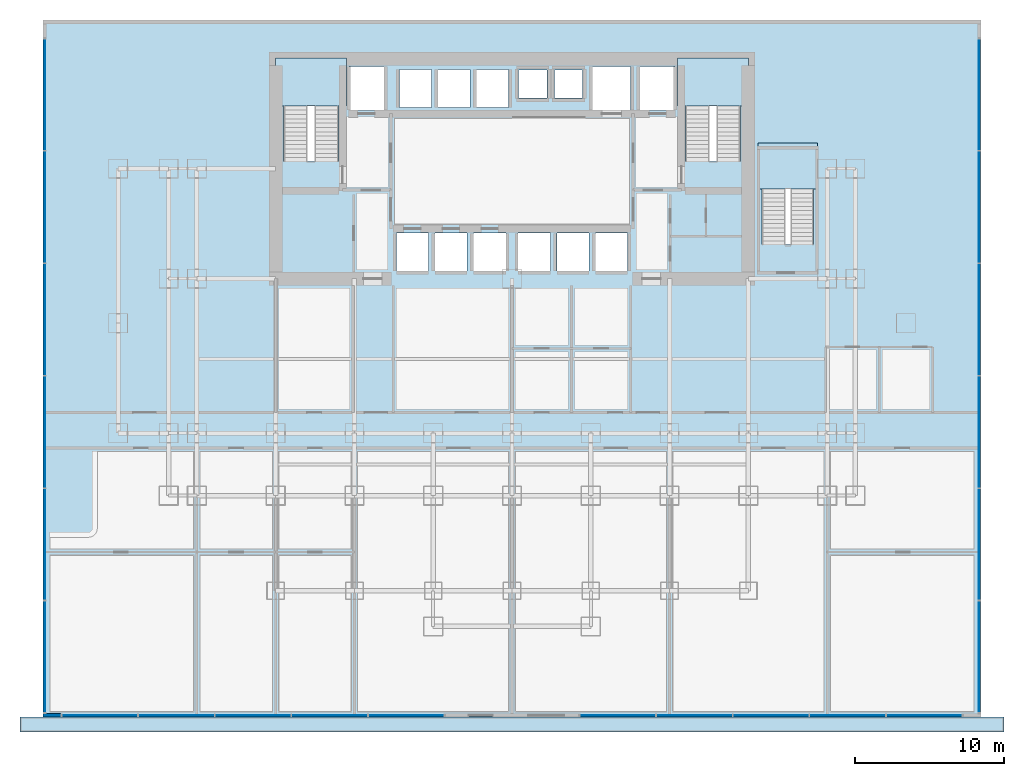
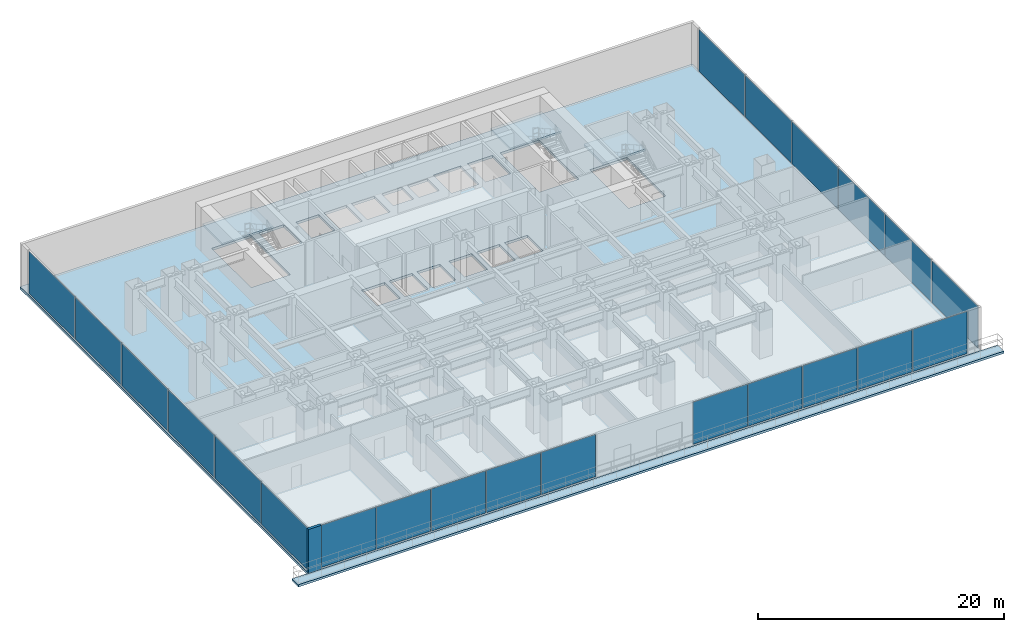
# One storey, part 7 of 13: 22 plates, 5 slabs, 1 wall, 7 elements without a shape of their own.
"""IFC4 building model written with IfcOpenShell, lengths in metres."""

from ifc_helpers import new_model, si_unit, direction, frame, frame_2d, origin, origin_2d, place, context, subcontext, project, spatial, polyline, rectangle, outline, extrude, source, transform, mapped, material, layer, layer_set, type_object, element, aggregate, save


model = new_model("IFC4")

# Units and contexts
model_context = context("Model", 3, precision=1e-05, world=origin(), true_north=direction((0.0, 1.0)))
body_context = subcontext(model_context, "Body", "Model", "MODEL_VIEW")
ifc_project = project(units=[si_unit("LENGTHUNIT", "METRE"), si_unit("AREAUNIT", "SQUARE_METRE"), si_unit("VOLUMEUNIT", "CUBIC_METRE"), si_unit("PLANEANGLEUNIT", "RADIAN"), si_unit("MASSUNIT", "GRAM", prefix="KILO")], contexts=[model_context])

# Site, building, storey
site_placement = place(None, origin())
site = spatial("IfcSite", under=ifc_project, at=site_placement, CompositionType="ELEMENT")
building_placement = place(site_placement, origin())
building = spatial("IfcBuilding", under=site, at=building_placement, Name="Qianlan Lanfeng Residences", CompositionType="ELEMENT")
storey_placement = place(building_placement, frame((0.0, 0.0, 14.39990234375)))
storey = spatial("IfcBuildingStorey", under=building, at=storey_placement, Name="L03", CompositionType="ELEMENT", Elevation=14.39990234375)

# Slab
ifc_material_1 = material(Name="Concrete C49", Category="concrete")
ifc_layer_1 = layer(ifc_material_1, 0.25)
ifc_layer_set_1 = layer_set([ifc_layer_1], Name="Concrete C49")
slab_type_1 = type_object("IfcSlabType", Name="S-FL-250", PredefinedType="FLOOR", material=ifc_layer_set_1)
slab_1_placement = place(storey_placement, frame((0.0, 0.0, -0.25)))
element("IfcSlab", 1, at=slab_1_placement, inside=storey, type_object=slab_type_1, Name="L03 Structural Floor Slab", PredefinedType="FLOOR", context=body_context, shape_type="SweptSolid", body=[
    extrude(outline(polyline([(-5.050048828125, -4.300048828125), (58.050048828125, -4.300048828125), (58.050048828125, 42.60009765625), (-5.050048828125, 42.60009765625), (-5.050048828125, -4.300048828125)]), holes=[polyline([(11.139892578125, 33.080078125), (11.139892578125, 39.5), (14.820068359375, 39.5), (14.820068359375, 33.080078125), (11.139892578125, 33.080078125)]), polyline([(38.179931640625, 33.080078125), (38.179931640625, 39.5), (41.860107421875, 39.5), (41.860107421875, 33.080078125), (38.179931640625, 33.080078125)]), polyline([(43.320068359375, 27.47998046875), (43.320068359375, 33.780029296875), (46.800048828125, 33.780029296875), (46.800048828125, 27.47998046875), (43.320068359375, 27.47998046875)]), polyline([(15.52001953125, 36.52001953125), (15.52001953125, 39.47998046875), (17.8798828125, 39.47998046875), (17.8798828125, 36.52001953125), (15.52001953125, 36.52001953125)]), polyline([(35.1201171875, 36.52001953125), (35.1201171875, 39.47998046875), (37.47998046875, 39.47998046875), (37.47998046875, 36.52001953125), (35.1201171875, 36.52001953125)]), polyline([(31.919921875, 36.52001953125), (31.919921875, 39.47998046875), (34.47998046875, 39.47998046875), (34.47998046875, 36.52001953125), (31.919921875, 36.52001953125)]), polyline([(18.719970703125, 25.719970703125), (18.719970703125, 28.280029296875), (20.8798828125, 28.280029296875), (20.8798828125, 25.719970703125), (18.719970703125, 25.719970703125)]), polyline([(21.320068359375, 25.719970703125), (21.320068359375, 28.280029296875), (23.47998046875, 28.280029296875), (23.47998046875, 25.719970703125), (21.320068359375, 25.719970703125)]), polyline([(23.919921875, 25.719970703125), (23.919921875, 28.280029296875), (26.080078125, 28.280029296875), (26.080078125, 25.719970703125), (23.919921875, 25.719970703125)]), polyline([(26.919921875, 25.719970703125), (26.919921875, 28.280029296875), (29.080078125, 28.280029296875), (29.080078125, 25.719970703125), (26.919921875, 25.719970703125)]), polyline([(29.52001953125, 25.719970703125), (29.52001953125, 28.280029296875), (31.679931640625, 28.280029296875), (31.679931640625, 25.719970703125), (29.52001953125, 25.719970703125)]), polyline([(32.1201171875, 25.719970703125), (32.1201171875, 28.280029296875), (34.280029296875, 28.280029296875), (34.280029296875, 25.719970703125), (32.1201171875, 25.719970703125)]), polyline([(18.919921875, 36.719970703125), (18.919921875, 39.280029296875), (21.080078125, 39.280029296875), (21.080078125, 36.719970703125), (18.919921875, 36.719970703125)]), polyline([(21.52001953125, 36.719970703125), (21.52001953125, 39.280029296875), (23.679931640625, 39.280029296875), (23.679931640625, 36.719970703125), (21.52001953125, 36.719970703125)]), polyline([(24.1201171875, 36.719970703125), (24.1201171875, 39.280029296875), (26.280029296875, 39.280029296875), (26.280029296875, 36.719970703125), (24.1201171875, 36.719970703125)]), polyline([(26.949951171875, 37.35009765625), (26.949951171875, 39.25), (28.85009765625, 39.25), (28.85009765625, 37.35009765625), (26.949951171875, 37.35009765625)]), polyline([(29.35009765625, 37.35009765625), (29.35009765625, 39.25), (31.25, 39.25), (31.25, 37.35009765625), (29.35009765625, 37.35009765625)])]), origin(), (0.0, 0.0, 1.0), 0.25),
])

# Stair, slab
ifc_material_2 = material(Name="Concrete C42", Category="concrete")
stair_type_1 = type_object("IfcStairType", Name="STR-MAIN", PredefinedType="HALF_TURN_STAIR", material=ifc_material_2)
stair_1_placement = place(storey_placement, origin())
stair_1 = element("IfcStair", 2, at=stair_1_placement, inside=storey, type_object=stair_type_1, Name="L03 Exit Stair ST-1", PredefinedType="HALF_TURN_STAIR")
ifc_layer_2 = layer(ifc_material_2, 0.179931640625)
ifc_layer_set_2 = layer_set([ifc_layer_2], Name="Concrete C42")
slab_type_2 = type_object("IfcSlabType", Name="S-LND-180", PredefinedType="LANDING", material=ifc_layer_set_2)
slab_2_placement = place(storey_placement, frame((0.0, 0.0, 2.10009765625)))
slab_2 = element("IfcSlab", 3, at=slab_2_placement, type_object=slab_type_2, Name="ST-1 landing 1", PredefinedType="LANDING", context=body_context, shape_type="SweptSolid", body=[
    extrude(outline(polyline([(10.580078125, 36.820068359375), (15.3798828125, 36.820068359375), (15.3798828125, 40.050048828125), (10.580078125, 40.050048828125), (10.580078125, 36.820068359375)])), origin(), (0.0, 0.0, 1.0), 0.199951171875),
])
aggregate(stair_1, [slab_2])

stair_2_placement = place(storey_placement, origin())
stair_2 = element("IfcStair", 4, at=stair_2_placement, inside=storey, type_object=stair_type_1, Name="L03 Exit Stair ST-2", PredefinedType="HALF_TURN_STAIR")
slab_3_placement = place(storey_placement, frame((0.0, 0.0, 2.10009765625)))
slab_3 = element("IfcSlab", 5, at=slab_3_placement, type_object=slab_type_2, Name="ST-2 landing 1", PredefinedType="LANDING", context=body_context, shape_type="SweptSolid", body=[
    extrude(outline(polyline([(37.6201171875, 36.820068359375), (42.419921875, 36.820068359375), (42.419921875, 40.050048828125), (37.6201171875, 40.050048828125), (37.6201171875, 36.820068359375)])), origin(), (0.0, 0.0, 1.0), 0.199951171875),
])
aggregate(stair_2, [slab_3])

stair_type_2 = type_object("IfcStairType", Name="STR-POD", PredefinedType="HALF_TURN_STAIR", material=ifc_material_2)
stair_3_placement = place(storey_placement, origin())
stair_3 = element("IfcStair", 6, at=stair_3_placement, inside=storey, type_object=stair_type_2, Name="L03 Exit Stair ST-P1", PredefinedType="HALF_TURN_STAIR")
slab_4_placement = place(storey_placement, frame((0.0, 0.0, 2.10009765625)))
slab_4 = element("IfcSlab", 7, at=slab_4_placement, type_object=slab_type_2, Name="ST-P1 landing 1", PredefinedType="LANDING", context=body_context, shape_type="SweptSolid", body=[
    extrude(outline(polyline([(43.06005859375, 31.219970703125), (47.06005859375, 31.219970703125), (47.06005859375, 34.330078125), (43.06005859375, 34.330078125), (43.06005859375, 31.219970703125)])), origin(), (0.0, 0.0, 1.0), 0.199951171875),
])
aggregate(stair_3, [slab_4])

# Slab
ifc_layer_3 = layer(ifc_material_2, 0.219970703125)
ifc_layer_set_3 = layer_set([ifc_layer_3], Name="Concrete C42")
slab_type_3 = type_object("IfcSlabType", Name="S-TER-220", PredefinedType="FLOOR", material=ifc_layer_set_3)
slab_5_placement = place(storey_placement, frame((0.0, 0.0, -0.219970703125)))
element("IfcSlab", 8, at=slab_5_placement, inside=storey, type_object=slab_type_3, Name="L03 Planted Podium Terrace Slab", PredefinedType="FLOOR", context=body_context, shape_type="SweptSolid", body=[
    extrude(outline(polyline([(58.050048828125, -4.300048828125), (-5.050048828125, -4.300048828125), (-6.60009765625, -4.300048828125), (-6.60009765625, -5.300048828125), (59.60009765625, -5.300048828125), (59.60009765625, -4.300048828125), (58.050048828125, -4.300048828125)])), origin(), (0.0, 0.0, 1.0), 0.219970703125),
])

# Curtain wall, plates
ifc_material_3 = material(Name="Anodised Bronze Aluminium 6063-T6", Category="aluminium")
ifc_layer_4 = layer(ifc_material_3, 0.219970703125)
ifc_layer_set_4 = layer_set([ifc_layer_4], Name="Anodised Bronze Aluminium 6063-T6")
curtain_wall_type = type_object("IfcCurtainWallType", Name="CW-01", PredefinedType="NOTDEFINED", material=ifc_layer_set_4)
curtain_wall_1_placement = place(storey_placement, origin())
curtain_wall_1 = element("IfcCurtainWall", 9, at=curtain_wall_1_placement, inside=storey, type_object=curtain_wall_type, Name="L03 Unitised Curtain Wall CWR-L03-SW (CW-01)", PredefinedType="NOTDEFINED")
ifc_material_4 = material(Name="Clear Low-E Insulated Glass", Category="glass")
ifc_layer_5 = layer(ifc_material_4, 0.035888671875)
ifc_layer_set_5 = layer_set([ifc_layer_5], Name="Clear Low-E Insulated Glass")
plate_type_1 = type_object("IfcPlateType", Name="PNL-GLZ-CLR", PredefinedType="CURTAIN_PANEL", material=ifc_layer_set_5)
shared_shape_1 = source(origin(), body_context, "Body", "SweptSolid", [
    extrude(rectangle(XDim=5.075927734375, YDim=0.035888671875, at=origin_2d()), origin(), (0.0, 0.0, 1.0), 4.181884765625),
])
plate_1_placement = place(storey_placement, frame((-1.23291015625, -4.179931640625, 0.0791015625), z_axis=(0.0, 0.0, 1.0), x_axis=(1.0, 0.0, 0.0)))
plate_1 = element("IfcPlate", 10, at=plate_1_placement, type_object=plate_type_1, Name="CWR-L03-SW Curtain Panel 1", PredefinedType="CURTAIN_PANEL", context=body_context, shape_type="MappedRepresentation", body=[
    mapped(shared_shape_1, transform((0.0, 0.0, 0.0), scale=1.0)),
])
plate_2_placement = place(storey_placement, frame((3.9208984375, -4.179931640625, 0.0791015625), z_axis=(0.0, 0.0, 1.0), x_axis=(1.0, 0.0, 0.0)))
plate_2 = element("IfcPlate", 11, at=plate_2_placement, type_object=plate_type_1, Name="CWR-L03-SW Curtain Panel 2", PredefinedType="CURTAIN_PANEL", context=body_context, shape_type="MappedRepresentation", body=[
    mapped(shared_shape_1, transform((0.0, 0.0, 0.0), scale=1.0)),
])
plate_3_placement = place(storey_placement, frame((14.22900390625, -4.179931640625, 0.0791015625), z_axis=(0.0, 0.0, 1.0), x_axis=(1.0, 0.0, 0.0)))
plate_3 = element("IfcPlate", 12, at=plate_3_placement, type_object=plate_type_1, Name="CWR-L03-SW Curtain Panel 4", PredefinedType="CURTAIN_PANEL", context=body_context, shape_type="MappedRepresentation", body=[
    mapped(shared_shape_1, transform((0.0, 0.0, 0.0), scale=1.0)),
])
plate_4_placement = place(storey_placement, frame((19.383056640625, -4.179931640625, 0.0791015625), z_axis=(0.0, 0.0, 1.0), x_axis=(1.0, 0.0, 0.0)))
plate_4 = element("IfcPlate", 13, at=plate_4_placement, type_object=plate_type_1, Name="CWR-L03-SW Curtain Panel 5", PredefinedType="CURTAIN_PANEL", context=body_context, shape_type="MappedRepresentation", body=[
    mapped(shared_shape_1, transform((0.0, 0.0, 0.0), scale=1.0)),
])

curtain_wall_2_placement = place(storey_placement, origin())
curtain_wall_2 = element("IfcCurtainWall", 14, at=curtain_wall_2_placement, inside=storey, type_object=curtain_wall_type, Name="L03 Unitised Curtain Wall CWR-L03-SE (CW-01)", PredefinedType="NOTDEFINED")
plate_5_placement = place(storey_placement, frame((33.616943359375, -4.179931640625, 0.0791015625), z_axis=(0.0, 0.0, 1.0), x_axis=(1.0, 0.0, 0.0)))
plate_5 = element("IfcPlate", 15, at=plate_5_placement, type_object=plate_type_1, Name="CWR-L03-SE Curtain Panel 1", PredefinedType="CURTAIN_PANEL", context=body_context, shape_type="MappedRepresentation", body=[
    mapped(shared_shape_1, transform((0.0, 0.0, 0.0), scale=1.0)),
])
plate_6_placement = place(storey_placement, frame((38.77099609375, -4.179931640625, 0.0791015625), z_axis=(0.0, 0.0, 1.0), x_axis=(1.0, 0.0, 0.0)))
plate_6 = element("IfcPlate", 16, at=plate_6_placement, type_object=plate_type_1, Name="CWR-L03-SE Curtain Panel 2", PredefinedType="CURTAIN_PANEL", context=body_context, shape_type="MappedRepresentation", body=[
    mapped(shared_shape_1, transform((0.0, 0.0, 0.0), scale=1.0)),
])
plate_7_placement = place(storey_placement, frame((49.0791015625, -4.179931640625, 0.0791015625), z_axis=(0.0, 0.0, 1.0), x_axis=(1.0, 0.0, 0.0)))
plate_7 = element("IfcPlate", 17, at=plate_7_placement, type_object=plate_type_1, Name="CWR-L03-SE Curtain Panel 4", PredefinedType="CURTAIN_PANEL", context=body_context, shape_type="MappedRepresentation", body=[
    mapped(shared_shape_1, transform((0.0, 0.0, 0.0), scale=1.0)),
])
plate_8_placement = place(storey_placement, frame((54.23291015625, -4.179931640625, 0.0791015625), z_axis=(0.0, 0.0, 1.0), x_axis=(1.0, 0.0, 0.0)))
plate_8 = element("IfcPlate", 18, at=plate_8_placement, type_object=plate_type_1, Name="CWR-L03-SE Curtain Panel 5", PredefinedType="CURTAIN_PANEL", context=body_context, shape_type="MappedRepresentation", body=[
    mapped(shared_shape_1, transform((0.0, 0.0, 0.0), scale=1.0)),
])

# Plate
ifc_material_5 = material(Name="Perforated Anodised Bronze Aluminium Panel", Category="aluminium")
ifc_layer_6 = layer(ifc_material_5, 0.0419921875)
ifc_layer_set_6 = layer_set([ifc_layer_6], Name="Perforated Anodised Bronze Aluminium Panel")
plate_type_2 = type_object("IfcPlateType", Name="PNL-PRF-BRZ", PredefinedType="CURTAIN_PANEL", material=ifc_layer_set_6)
shared_shape_2 = source(origin(), body_context, "Body", "SweptSolid", [
    extrude(rectangle(XDim=5.075927734375, YDim=0.0419921875, at=origin_2d()), origin(), (0.0, 0.0, 1.0), 4.181884765625),
])
plate_9_placement = place(storey_placement, frame((9.074951171875, -4.179931640625, 0.0791015625), z_axis=(0.0, 0.0, 1.0), x_axis=(1.0, 0.0, 0.0)))
plate_9 = element("IfcPlate", 19, at=plate_9_placement, type_object=plate_type_2, Name="CWR-L03-SW Curtain Panel 3", PredefinedType="CURTAIN_PANEL", context=body_context, shape_type="MappedRepresentation", body=[
    mapped(shared_shape_2, transform((0.0, 0.0, 0.0), scale=1.0)),
])

aggregate(curtain_wall_1, [plate_1, plate_2, plate_9, plate_3, plate_4])

ifc_material_6 = material(Name="Perforated Champagne Gold Aluminium Panel", Category="aluminium")
ifc_layer_7 = layer(ifc_material_6, 0.0400390625)
ifc_layer_set_7 = layer_set([ifc_layer_7], Name="Perforated Champagne Gold Aluminium Panel")
plate_type_3 = type_object("IfcPlateType", Name="PNL-PRF-GLD", PredefinedType="CURTAIN_PANEL", material=ifc_layer_set_7)
shared_shape_3 = source(origin(), body_context, "Body", "SweptSolid", [
    extrude(rectangle(XDim=5.075927734375, YDim=0.0400390625, at=origin_2d()), origin(), (0.0, 0.0, 1.0), 4.181884765625),
])
plate_10_placement = place(storey_placement, frame((43.925048828125, -4.179931640625, 0.0791015625), z_axis=(0.0, 0.0, 1.0), x_axis=(1.0, 0.0, 0.0)))
plate_10 = element("IfcPlate", 20, at=plate_10_placement, type_object=plate_type_3, Name="CWR-L03-SE Curtain Panel 3", PredefinedType="CURTAIN_PANEL", context=body_context, shape_type="MappedRepresentation", body=[
    mapped(shared_shape_3, transform((0.0, 0.0, 0.0), scale=1.0)),
])

aggregate(curtain_wall_2, [plate_5, plate_6, plate_10, plate_7, plate_8])

# Curtain wall, plates
curtain_wall_3_placement = place(storey_placement, origin())
curtain_wall_3 = element("IfcCurtainWall", 21, at=curtain_wall_3_placement, inside=storey, type_object=curtain_wall_type, Name="L03 Unitised Curtain Wall CWR-L03-E (CW-01)", PredefinedType="NOTDEFINED")
shared_shape_4 = source(origin(), body_context, "Body", "SweptSolid", [
    extrude(rectangle(XDim=7.4853515625, YDim=0.035888671875, at=origin_2d()), origin(), (0.0, 0.0, 1.0), 4.181884765625),
])
plate_11_placement = place(storey_placement, frame((57.929931640625, -0.23828125, 0.0791015625), z_axis=(0.0, 0.0, 1.0), x_axis=(0.0, 1.0, 0.0)))
plate_11 = element("IfcPlate", 22, at=plate_11_placement, type_object=plate_type_1, Name="CWR-L03-E Curtain Panel 1", PredefinedType="CURTAIN_PANEL", context=body_context, shape_type="MappedRepresentation", body=[
    mapped(shared_shape_4, transform((0.0, 0.0, 0.0), scale=1.0)),
])
plate_12_placement = place(storey_placement, frame((57.929931640625, 14.888427734375, 0.0791015625), z_axis=(0.0, 0.0, 1.0), x_axis=(0.0, 1.0, 0.0)))
plate_12 = element("IfcPlate", 23, at=plate_12_placement, type_object=plate_type_1, Name="CWR-L03-E Curtain Panel 3", PredefinedType="CURTAIN_PANEL", context=body_context, shape_type="MappedRepresentation", body=[
    mapped(shared_shape_4, transform((0.0, 0.0, 0.0), scale=1.0)),
])
plate_13_placement = place(storey_placement, frame((57.929931640625, 22.45166015625, 0.0791015625), z_axis=(0.0, 0.0, 1.0), x_axis=(0.0, 1.0, 0.0)))
plate_13 = element("IfcPlate", 24, at=plate_13_placement, type_object=plate_type_1, Name="CWR-L03-E Curtain Panel 4", PredefinedType="CURTAIN_PANEL", context=body_context, shape_type="MappedRepresentation", body=[
    mapped(shared_shape_4, transform((0.0, 0.0, 0.0), scale=1.0)),
])
plate_14_placement = place(storey_placement, frame((57.929931640625, 37.578369140625, 0.0791015625), z_axis=(0.0, 0.0, 1.0), x_axis=(0.0, 1.0, 0.0)))
plate_14 = element("IfcPlate", 25, at=plate_14_placement, type_object=plate_type_1, Name="CWR-L03-E Curtain Panel 6", PredefinedType="CURTAIN_PANEL", context=body_context, shape_type="MappedRepresentation", body=[
    mapped(shared_shape_4, transform((0.0, 0.0, 0.0), scale=1.0)),
])

curtain_wall_4_placement = place(storey_placement, origin())
curtain_wall_4 = element("IfcCurtainWall", 26, at=curtain_wall_4_placement, inside=storey, type_object=curtain_wall_type, Name="L03 Unitised Curtain Wall CWR-L03-W (CW-01)", PredefinedType="NOTDEFINED")
plate_15_placement = place(storey_placement, frame((-4.929931640625, 37.578369140625, 0.0791015625), z_axis=(0.0, 0.0, 1.0), x_axis=(0.0, -1.0, 0.0)))
plate_15 = element("IfcPlate", 27, at=plate_15_placement, type_object=plate_type_1, Name="CWR-L03-W Curtain Panel 1", PredefinedType="CURTAIN_PANEL", context=body_context, shape_type="MappedRepresentation", body=[
    mapped(shared_shape_4, transform((0.0, 0.0, 0.0), scale=1.0)),
])
plate_16_placement = place(storey_placement, frame((-4.929931640625, 22.45166015625, 0.0791015625), z_axis=(0.0, 0.0, 1.0), x_axis=(0.0, -1.0, 0.0)))
plate_16 = element("IfcPlate", 28, at=plate_16_placement, type_object=plate_type_1, Name="CWR-L03-W Curtain Panel 3", PredefinedType="CURTAIN_PANEL", context=body_context, shape_type="MappedRepresentation", body=[
    mapped(shared_shape_4, transform((0.0, 0.0, 0.0), scale=1.0)),
])
plate_17_placement = place(storey_placement, frame((-4.929931640625, 14.88818359375, 0.0791015625), z_axis=(0.0, 0.0, 1.0), x_axis=(0.0, -1.0, 0.0)))
plate_17 = element("IfcPlate", 29, at=plate_17_placement, type_object=plate_type_1, Name="CWR-L03-W Curtain Panel 4", PredefinedType="CURTAIN_PANEL", context=body_context, shape_type="MappedRepresentation", body=[
    mapped(shared_shape_4, transform((0.0, 0.0, 0.0), scale=1.0)),
])
plate_18_placement = place(storey_placement, frame((-4.929931640625, -0.23828125, 0.0791015625), z_axis=(0.0, 0.0, 1.0), x_axis=(0.0, -1.0, 0.0)))
plate_18 = element("IfcPlate", 30, at=plate_18_placement, type_object=plate_type_1, Name="CWR-L03-W Curtain Panel 6", PredefinedType="CURTAIN_PANEL", context=body_context, shape_type="MappedRepresentation", body=[
    mapped(shared_shape_4, transform((0.0, 0.0, 0.0), scale=1.0)),
])

# Plate
shared_shape_5 = source(origin(), body_context, "Body", "SweptSolid", [
    extrude(rectangle(XDim=7.4853515625, YDim=0.0400390625, at=origin_2d()), origin(), (0.0, 0.0, 1.0), 4.181884765625),
])
plate_19_placement = place(storey_placement, frame((57.929931640625, 7.324951171875, 0.0791015625), z_axis=(0.0, 0.0, 1.0), x_axis=(0.0, 1.0, 0.0)))
plate_19 = element("IfcPlate", 31, at=plate_19_placement, type_object=plate_type_3, Name="CWR-L03-E Curtain Panel 2", PredefinedType="CURTAIN_PANEL", context=body_context, shape_type="MappedRepresentation", body=[
    mapped(shared_shape_5, transform((0.0, 0.0, 0.0), scale=1.0)),
])

shared_shape_6 = source(origin(), body_context, "Body", "SweptSolid", [
    extrude(rectangle(XDim=7.4853515625, YDim=0.0419921875, at=origin_2d()), origin(), (0.0, 0.0, 1.0), 4.181884765625),
])
plate_20_placement = place(storey_placement, frame((57.929931640625, 30.014892578125, 0.0791015625), z_axis=(0.0, 0.0, 1.0), x_axis=(0.0, 1.0, 0.0)))
plate_20 = element("IfcPlate", 32, at=plate_20_placement, type_object=plate_type_2, Name="CWR-L03-E Curtain Panel 5", PredefinedType="CURTAIN_PANEL", context=body_context, shape_type="MappedRepresentation", body=[
    mapped(shared_shape_6, transform((0.0, 0.0, 0.0), scale=1.0)),
])

aggregate(curtain_wall_3, [plate_11, plate_19, plate_12, plate_13, plate_20, plate_14])

plate_21_placement = place(storey_placement, frame((-4.929931640625, 30.014892578125, 0.0791015625), z_axis=(0.0, 0.0, 1.0), x_axis=(0.0, -1.0, 0.0)))
plate_21 = element("IfcPlate", 33, at=plate_21_placement, type_object=plate_type_2, Name="CWR-L03-W Curtain Panel 2", PredefinedType="CURTAIN_PANEL", context=body_context, shape_type="MappedRepresentation", body=[
    mapped(shared_shape_6, transform((0.0, 0.0, 0.0), scale=1.0)),
])

plate_22_placement = place(storey_placement, frame((-4.929931640625, 7.324951171875, 0.0791015625), z_axis=(0.0, 0.0, 1.0), x_axis=(0.0, -1.0, 0.0)))
plate_22 = element("IfcPlate", 34, at=plate_22_placement, type_object=plate_type_2, Name="CWR-L03-W Curtain Panel 5", PredefinedType="CURTAIN_PANEL", context=body_context, shape_type="MappedRepresentation", body=[
    mapped(shared_shape_6, transform((0.0, 0.0, 0.0), scale=1.0)),
])

aggregate(curtain_wall_4, [plate_15, plate_21, plate_16, plate_17, plate_22, plate_18])

# Wall
ifc_layer_8 = layer(ifc_material_2, 0.239990234375)
ifc_layer_set_8 = layer_set([ifc_layer_8], Name="Concrete C42")
wall_type = type_object("IfcWallType", Name="EW-240", PredefinedType="SOLIDWALL", material=ifc_layer_set_8)
wall_placement = place(storey_placement, frame((-5.050048828125, -4.179931640625, 0.0), z_axis=(0.0, 0.0, 1.0), x_axis=(1.0, 0.0, 0.0)))
element("IfcWall", 35, at=wall_placement, inside=storey, type_object=wall_type, Name="L03 SW Corner Pier", PredefinedType="SOLIDWALL", context=body_context, shape_type="SweptSolid", body=[
    extrude(rectangle(XDim=1.199951171875, YDim=0.239990234375, at=frame_2d((0.60009765625, 0.0))), origin(), (0.0, 0.0, 1.0), 4.340087890625),
])

save(model, "model.ifc")
